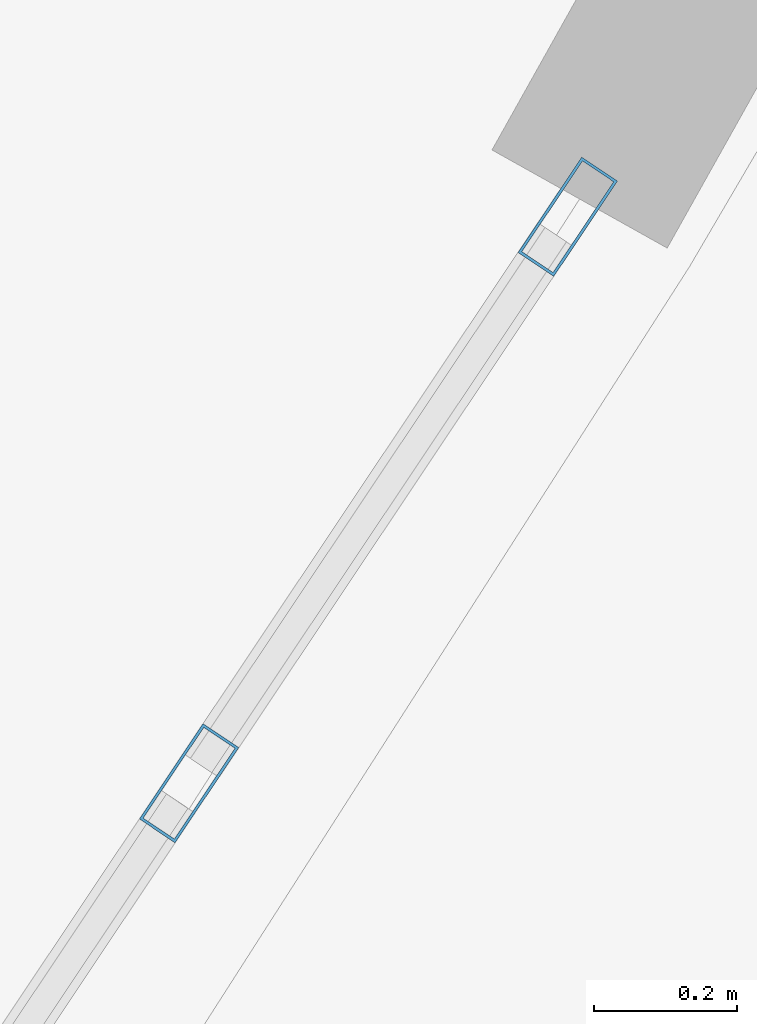
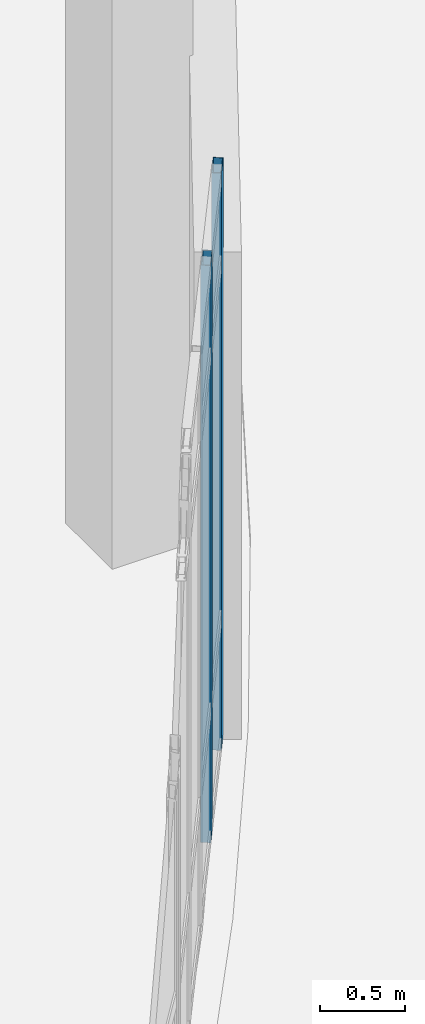
# One storey, part 46 of 134: 2 members, 1 element without a shape of its own.
"""IFC4 building model written with IfcOpenShell, lengths in metres."""

from ifc_helpers import new_model, si_unit, direction, frame, origin, origin_2d, place, context, subcontext, project, spatial, hollow_rectangle, extrude, material, material_profile, profile_set, type_object, element, aggregate, save


model = new_model("IFC4")

# Units and contexts
model_context = context("Model", 3, precision=1e-05, world=origin(), true_north=direction((0.0, 1.0)))
body_context = subcontext(model_context, "Body", "Model", "MODEL_VIEW")
ifc_project = project(units=[si_unit("LENGTHUNIT", "METRE"), si_unit("AREAUNIT", "SQUARE_METRE"), si_unit("VOLUMEUNIT", "CUBIC_METRE"), si_unit("PLANEANGLEUNIT", "RADIAN"), si_unit("MASSUNIT", "GRAM", prefix="KILO")], contexts=[model_context])

# Site, building, storey
site_placement = place(None, origin())
site = spatial("IfcSite", under=ifc_project, at=site_placement, CompositionType="ELEMENT")
building_placement = place(site_placement, origin())
building = spatial("IfcBuilding", under=site, at=building_placement, Name="Kalluvel Institute of Natural Sciences", CompositionType="ELEMENT")
storey_placement = place(building_placement, frame((0.0, 0.0, 5.39990234375)))
storey = spatial("IfcBuildingStorey", under=building, at=storey_placement, Name="L01", CompositionType="ELEMENT", Elevation=5.39990234375)

# Curtain wall, members
ifc_material = material(Name="Aluminium AW-6063 T6", Category="aluminium")
curtain_wall_type = type_object("IfcCurtainWallType", Name="CW-ATR-ARC", PredefinedType="USERDEFINED", material=ifc_material)
curtain_wall_placement = place(storey_placement, origin())
curtain_wall = element("IfcCurtainWall", 1, at=curtain_wall_placement, inside=storey, type_object=curtain_wall_type, Name="L01 Gothic lancet curtain wall CWA-L01-X760-Y734", ObjectType="UNITISED LANCET FACADE", PredefinedType="USERDEFINED")
ifc_material_profile = material_profile(ifc_material, hollow_rectangle(XDim=0.06005859375, YDim=0.159912109375, WallThickness=0.00390625, at=origin_2d()), Name="CWM 60x160")
ifc_profile_set = profile_set([ifc_material_profile], Name="Aluminium AW-6063 T6")
member_type = type_object("IfcMemberType", Name="CWM-60x160", PredefinedType="MULLION", material=ifc_profile_set)
member_1_placement = place(storey_placement, frame((77.64453125, 75.885986328125, 0.0), z_axis=(0.0, 0.0, 1.0), x_axis=(-0.831469300908, 0.555570699054, 0.0)))
member_1 = element("IfcMember", 2, at=member_1_placement, type_object=member_type, Name="CW-05 mullion 4", PredefinedType="MULLION", context=body_context, shape_type="SweptSolid", body=[
    extrude(hollow_rectangle(XDim=0.06005859375, YDim=0.159912109375, WallThickness=0.00390625, at=origin_2d()), origin(), (0.0, 0.0, 1.0), 4.150146484375),
])
member_2_placement = place(storey_placement, frame((78.1728515625, 76.67626953125, 0.0), z_axis=(0.0, 0.0, 1.0), x_axis=(-0.831469300908, 0.555570699054, 0.0)))
member_2 = element("IfcMember", 3, at=member_2_placement, type_object=member_type, Name="CW-05 mullion 5", PredefinedType="MULLION", context=body_context, shape_type="SweptSolid", body=[
    extrude(hollow_rectangle(XDim=0.06005859375, YDim=0.159912109375, WallThickness=0.00390625, at=origin_2d()), origin(), (0.0, 0.0, 1.0), 4.150146484375),
])
aggregate(curtain_wall, [member_1, member_2])

save(model, "model.ifc")
